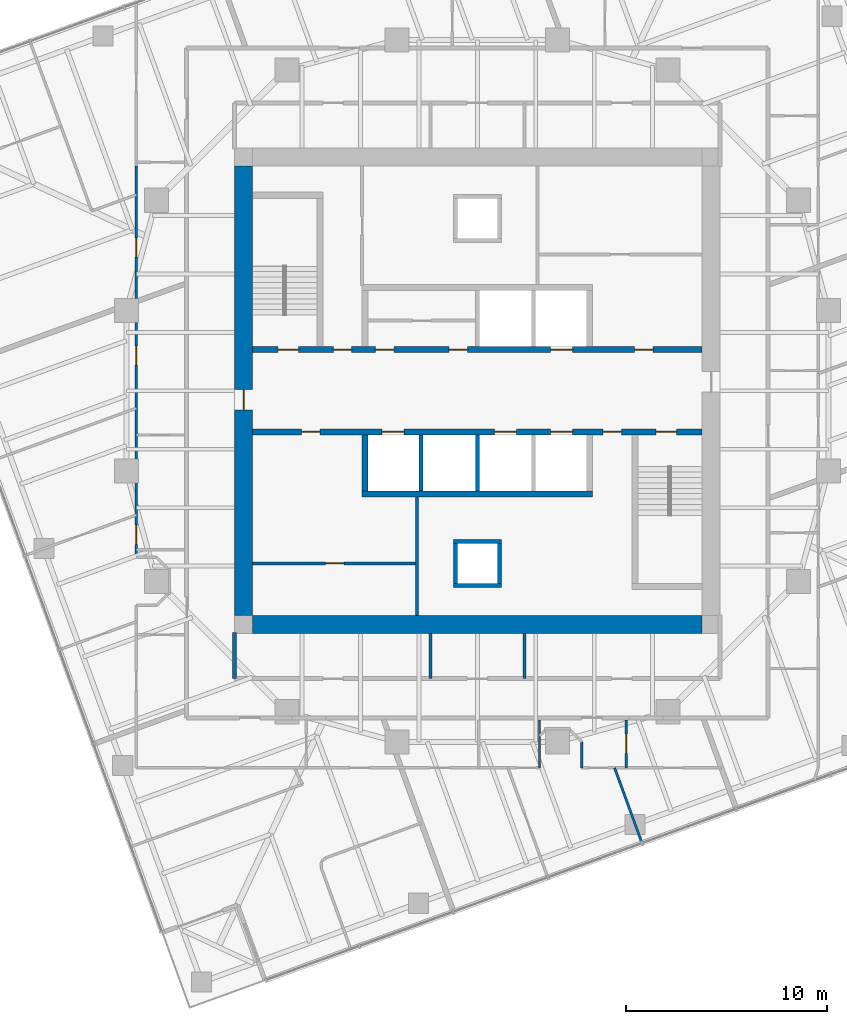
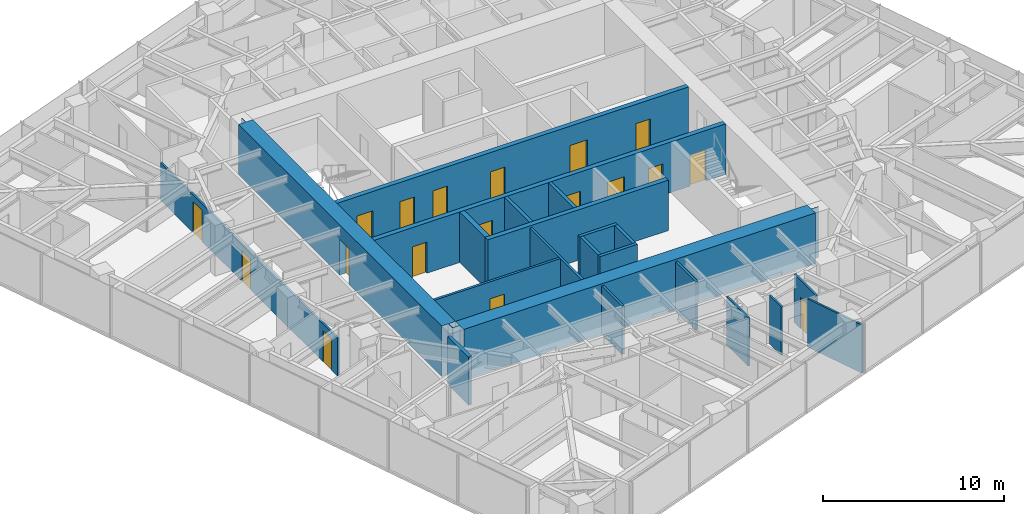
# One storey, part 8 of 13: 22 walls, 18 doors, 18 openings.
"""IFC4 building model written with IfcOpenShell, lengths in metres."""

from ifc_helpers import new_model, si_unit, direction, frame, frame_2d, origin, place, context, subcontext, project, spatial, polyline, rectangle, outline, extrude, material, layer, layer_set, type_object, element, fill, save


model = new_model("IFC4")

# Units and contexts
model_context = context("Model", 3, precision=1e-05, world=origin(), true_north=direction((0.0, 1.0)))
body_context = subcontext(model_context, "Body", "Model", "MODEL_VIEW")
ifc_project = project(units=[si_unit("LENGTHUNIT", "METRE"), si_unit("AREAUNIT", "SQUARE_METRE"), si_unit("VOLUMEUNIT", "CUBIC_METRE"), si_unit("PLANEANGLEUNIT", "RADIAN"), si_unit("MASSUNIT", "GRAM", prefix="KILO")], contexts=[model_context])

# Site, building, storey
site_placement = place(None, origin())
site = spatial("IfcSite", under=ifc_project, at=site_placement, CompositionType="ELEMENT")
building_placement = place(site_placement, origin())
building = spatial("IfcBuilding", under=site, at=building_placement, Name="Torsade Residences", CompositionType="ELEMENT")
storey_placement = place(building_placement, frame((0.0, 0.0, 157.39990234375)))
storey = spatial("IfcBuildingStorey", under=building, at=storey_placement, Name="L43", CompositionType="ELEMENT", Elevation=157.39990234375)

# Wall, openings, doors
ifc_material_1 = material(Name="Concrete 80 MPa", Category="concrete")
ifc_layer_1 = layer(ifc_material_1, 0.300048828125)
ifc_layer_set_1 = layer_set([ifc_layer_1], Name="Concrete 80 MPa")
wall_type_1 = type_object("IfcWallType", Name="CORE INTERNAL WALL 300", PredefinedType="SHEAR", material=ifc_layer_set_1)
wall_1_placement = place(storey_placement, frame((28.800048828125, 32.050048828125, 0.0), z_axis=(0.0, 0.0, 1.0), x_axis=(1.0, 0.0, 0.0)))
wall_1 = element("IfcWall", 1, at=wall_1_placement, inside=storey, type_object=wall_type_1, Name="Core wall LN L43", PredefinedType="SHEAR", context=body_context, shape_type="SweptSolid", body=[
    extrude(rectangle(XDim=22.39990234375, YDim=0.300048828125, at=frame_2d((11.199951171875, 0.0))), origin(), (0.0, 0.0, 1.0), 3.400146484375),
])
opening_1_placement = place(wall_1_placement, frame((19.0400390625, 0.0, 0.0)))
opening_1 = element("IfcOpeningElement", 2, at=opening_1_placement, cuts=wall_1, Name="Opening D06", PredefinedType="OPENING", context=body_context, shape_type="SweptSolid", body=[
    extrude(rectangle(XDim=0.919921875, YDim=2.10009765625, at=frame_2d((0.4599609375, 1.050048828125))), frame((0.0, 0.159912109375, 0.0), z_axis=(0.0, -1.0, 0.0), x_axis=(1.0, 0.0, 0.0)), (0.0, 0.0, 1.0), 0.320068359375),
])
opening_2_placement = place(wall_1_placement, frame((1.264892578125, 0.0, 0.0)))
opening_2 = element("IfcOpeningElement", 3, at=opening_2_placement, cuts=wall_1, Name="Opening D03", PredefinedType="OPENING", context=body_context, shape_type="SweptSolid", body=[
    extrude(rectangle(XDim=1.02001953125, YDim=2.10009765625, at=frame_2d((0.510009765625, 1.050048828125))), frame((0.0, 0.159912109375, 0.0), z_axis=(0.0, -1.0, 0.0), x_axis=(1.0, 0.0, 0.0)), (0.0, 0.0, 1.0), 0.320068359375),
])
opening_3_placement = place(wall_1_placement, frame((4.014892578125, 0.0, 0.0)))
opening_3 = element("IfcOpeningElement", 4, at=opening_3_placement, cuts=wall_1, Name="Opening D06", PredefinedType="OPENING", context=body_context, shape_type="SweptSolid", body=[
    extrude(rectangle(XDim=0.919921875, YDim=2.10009765625, at=frame_2d((0.4599609375, 1.050048828125))), frame((0.0, 0.159912109375, 0.0), z_axis=(0.0, -1.0, 0.0), x_axis=(1.0, 0.0, 0.0)), (0.0, 0.0, 1.0), 0.320068359375),
])
opening_4_placement = place(wall_1_placement, frame((6.114990234375, 0.0, 0.0)))
opening_4 = element("IfcOpeningElement", 5, at=opening_4_placement, cuts=wall_1, Name="Opening D06", PredefinedType="OPENING", context=body_context, shape_type="SweptSolid", body=[
    extrude(rectangle(XDim=0.919921875, YDim=2.10009765625, at=frame_2d((0.4599609375, 1.050048828125))), frame((0.0, 0.159912109375, 0.0), z_axis=(0.0, -1.0, 0.0), x_axis=(1.0, 0.0, 0.0)), (0.0, 0.0, 1.0), 0.320068359375),
])
opening_5_placement = place(wall_1_placement, frame((9.7900390625, 0.0, 0.0)))
opening_5 = element("IfcOpeningElement", 6, at=opening_5_placement, cuts=wall_1, Name="Opening D06", PredefinedType="OPENING", context=body_context, shape_type="SweptSolid", body=[
    extrude(rectangle(XDim=0.919921875, YDim=2.10009765625, at=frame_2d((0.4599609375, 1.050048828125))), frame((0.0, 0.159912109375, 0.0), z_axis=(0.0, -1.0, 0.0), x_axis=(1.0, 0.0, 0.0)), (0.0, 0.0, 1.0), 0.320068359375),
])
opening_6_placement = place(wall_1_placement, frame((14.85009765625, 0.0, 0.0)))
opening_6 = element("IfcOpeningElement", 7, at=opening_6_placement, cuts=wall_1, Name="Opening LD", PredefinedType="OPENING", context=body_context, shape_type="SweptSolid", body=[
    extrude(rectangle(XDim=1.10009765625, YDim=2.10009765625, at=frame_2d((0.550048828125, 1.050048828125))), frame((0.0, 0.159912109375, 0.0), z_axis=(0.0, -1.0, 0.0), x_axis=(1.0, 0.0, 0.0)), (0.0, 0.0, 1.0), 0.320068359375),
])
ifc_material_2 = material(Name="Steel-framed fire door", Category="steel")
door_type_1 = type_object("IfcDoorType", Name="FIRE DOOR 1020", OperationType="NOTDEFINED", PredefinedType="DOOR", material=ifc_material_2)
door_1_placement = place(opening_2_placement, origin())
door_1 = element("IfcDoor", 8, at=door_1_placement, inside=storey, type_object=door_type_1, Name="Exit door to fire-isolated stair ST1 L43", OperationType="SINGLE_SWING_RIGHT", OverallHeight=2.10009765625, OverallWidth=1.02001953125, PredefinedType="DOOR", context=body_context, shape_type="SweptSolid", body=[
    extrude(rectangle(XDim=1.02001953125, YDim=2.10009765625, at=frame_2d((0.510009765625, 1.050048828125))), frame((0.0, 0.02490234375, 0.0), z_axis=(0.0, -1.0, 0.0), x_axis=(1.0, 0.0, 0.0)), (0.0, 0.0, 1.0), 0.050048828125),
])
fill(opening_2, door_1)
ifc_material_3 = material(Name="Steel-framed fire door", Category="steel")
door_type_2 = type_object("IfcDoorType", Name="FIRE DOOR 920", OperationType="NOTDEFINED", PredefinedType="DOOR", material=ifc_material_3)
door_2_placement = place(opening_1_placement, origin())
door_2 = element("IfcDoor", 9, at=door_2_placement, inside=storey, type_object=door_type_2, Name="Door Lift lobby to Refuse room", OperationType="SINGLE_SWING_LEFT", OverallHeight=2.10009765625, OverallWidth=0.919921875, PredefinedType="DOOR", context=body_context, shape_type="SweptSolid", body=[
    extrude(rectangle(XDim=0.919921875, YDim=2.10009765625, at=frame_2d((0.4599609375, 1.050048828125))), frame((0.0, 0.02490234375, 0.0), z_axis=(0.0, -1.0, 0.0), x_axis=(1.0, 0.0, 0.0)), (0.0, 0.0, 1.0), 0.050048828125),
])
fill(opening_1, door_2)
door_3_placement = place(opening_3_placement, origin())
door_3 = element("IfcDoor", 10, at=door_3_placement, inside=storey, type_object=door_type_2, Name="Door Lift lobby to Main switchboard store", OperationType="SINGLE_SWING_LEFT", OverallHeight=2.10009765625, OverallWidth=0.919921875, PredefinedType="DOOR", context=body_context, shape_type="SweptSolid", body=[
    extrude(rectangle(XDim=0.919921875, YDim=2.10009765625, at=frame_2d((0.4599609375, 1.050048828125))), frame((0.0, 0.02490234375, 0.0), z_axis=(0.0, -1.0, 0.0), x_axis=(1.0, 0.0, 0.0)), (0.0, 0.0, 1.0), 0.050048828125),
])
fill(opening_3, door_3)
door_4_placement = place(opening_4_placement, origin())
door_4 = element("IfcDoor", 11, at=door_4_placement, inside=storey, type_object=door_type_2, Name="Door Lift lobby to Communications room L43A", OperationType="SINGLE_SWING_LEFT", OverallHeight=2.10009765625, OverallWidth=0.919921875, PredefinedType="DOOR", context=body_context, shape_type="SweptSolid", body=[
    extrude(rectangle(XDim=0.919921875, YDim=2.10009765625, at=frame_2d((0.4599609375, 1.050048828125))), frame((0.0, 0.02490234375, 0.0), z_axis=(0.0, -1.0, 0.0), x_axis=(1.0, 0.0, 0.0)), (0.0, 0.0, 1.0), 0.050048828125),
])
fill(opening_4, door_4)
door_5_placement = place(opening_5_placement, origin())
door_5 = element("IfcDoor", 12, at=door_5_placement, inside=storey, type_object=door_type_2, Name="Door Lift lobby to Communications room L43A", OperationType="SINGLE_SWING_RIGHT", OverallHeight=2.10009765625, OverallWidth=0.919921875, PredefinedType="DOOR", context=body_context, shape_type="SweptSolid", body=[
    extrude(rectangle(XDim=0.919921875, YDim=2.10009765625, at=frame_2d((0.4599609375, 1.050048828125))), frame((0.0, 0.02490234375, 0.0), z_axis=(0.0, -1.0, 0.0), x_axis=(1.0, 0.0, 0.0)), (0.0, 0.0, 1.0), 0.050048828125),
])
fill(opening_5, door_5)
ifc_material_4 = material(Name="Stainless steel lift landing door", Category="steel")
door_type_3 = type_object("IfcDoorType", Name="LIFT LANDING DOOR 1100", OperationType="SLIDING_TO_LEFT", PredefinedType="DOOR", material=ifc_material_4)
door_6_placement = place(opening_6_placement, origin())
door_6 = element("IfcDoor", 13, at=door_6_placement, inside=storey, type_object=door_type_3, Name="Lift FL1 landing door L43", OperationType="SLIDING_TO_LEFT", OverallHeight=2.10009765625, OverallWidth=1.10009765625, PredefinedType="DOOR", context=body_context, shape_type="SweptSolid", body=[
    extrude(rectangle(XDim=1.10009765625, YDim=2.10009765625, at=frame_2d((0.550048828125, 1.050048828125))), frame((0.0, 0.02490234375, 0.0), z_axis=(0.0, -1.0, 0.0), x_axis=(1.0, 0.0, 0.0)), (0.0, 0.0, 1.0), 0.050048828125),
])
fill(opening_6, door_6)

wall_2_placement = place(storey_placement, frame((51.199951171875, 27.949951171875, 0.0), z_axis=(0.0, 0.0, 1.0), x_axis=(-1.0, 0.0, 0.0)))
wall_2 = element("IfcWall", 14, at=wall_2_placement, inside=storey, type_object=wall_type_1, Name="Core wall LS L43", PredefinedType="SHEAR", context=body_context, shape_type="SweptSolid", body=[
    extrude(rectangle(XDim=22.39990234375, YDim=0.300048828125, at=frame_2d((11.199951171875, 0.0))), origin(), (0.0, 0.0, 1.0), 3.400146484375),
])
opening_7_placement = place(wall_2_placement, frame((19.0400390625, 0.0, 0.0)))
opening_7 = element("IfcOpeningElement", 15, at=opening_7_placement, cuts=wall_2, Name="Opening D06", PredefinedType="OPENING", context=body_context, shape_type="SweptSolid", body=[
    extrude(rectangle(XDim=0.919921875, YDim=2.10009765625, at=frame_2d((0.4599609375, 1.050048828125))), frame((0.0, 0.159912109375, 0.0), z_axis=(0.0, -1.0, 0.0), x_axis=(1.0, 0.0, 0.0)), (0.0, 0.0, 1.0), 0.320068359375),
])
opening_8_placement = place(wall_2_placement, frame((1.264892578125, 0.0, 0.0)))
opening_8 = element("IfcOpeningElement", 16, at=opening_8_placement, cuts=wall_2, Name="Opening D03", PredefinedType="OPENING", context=body_context, shape_type="SweptSolid", body=[
    extrude(rectangle(XDim=1.02001953125, YDim=2.10009765625, at=frame_2d((0.510009765625, 1.050048828125))), frame((0.0, 0.159912109375, 0.0), z_axis=(0.0, -1.0, 0.0), x_axis=(1.0, 0.0, 0.0)), (0.0, 0.0, 1.0), 0.320068359375),
])
opening_9_placement = place(wall_2_placement, frame((4.014892578125, 0.0, 0.0)))
opening_9 = element("IfcOpeningElement", 17, at=opening_9_placement, cuts=wall_2, Name="Opening D06", PredefinedType="OPENING", context=body_context, shape_type="SweptSolid", body=[
    extrude(rectangle(XDim=0.919921875, YDim=2.10009765625, at=frame_2d((0.4599609375, 1.050048828125))), frame((0.0, 0.159912109375, 0.0), z_axis=(0.0, -1.0, 0.0), x_axis=(1.0, 0.0, 0.0)), (0.0, 0.0, 1.0), 0.320068359375),
])
opening_10_placement = place(wall_2_placement, frame((6.449951171875, 0.0, 0.0)))
opening_10 = element("IfcOpeningElement", 18, at=opening_10_placement, cuts=wall_2, Name="Opening LD", PredefinedType="OPENING", context=body_context, shape_type="SweptSolid", body=[
    extrude(rectangle(XDim=1.10009765625, YDim=2.10009765625, at=frame_2d((0.550048828125, 1.050048828125))), frame((0.0, 0.159912109375, 0.0), z_axis=(0.0, -1.0, 0.0), x_axis=(1.0, 0.0, 0.0)), (0.0, 0.0, 1.0), 0.320068359375),
])
opening_11_placement = place(wall_2_placement, frame((9.25, 0.0, 0.0)))
opening_11 = element("IfcOpeningElement", 19, at=opening_11_placement, cuts=wall_2, Name="Opening LD", PredefinedType="OPENING", context=body_context, shape_type="SweptSolid", body=[
    extrude(rectangle(XDim=1.10009765625, YDim=2.10009765625, at=frame_2d((0.550048828125, 1.050048828125))), frame((0.0, 0.159912109375, 0.0), z_axis=(0.0, -1.0, 0.0), x_axis=(1.0, 0.0, 0.0)), (0.0, 0.0, 1.0), 0.320068359375),
])
opening_12_placement = place(wall_2_placement, frame((14.85009765625, 0.0, 0.0)))
opening_12 = element("IfcOpeningElement", 20, at=opening_12_placement, cuts=wall_2, Name="Opening LD", PredefinedType="OPENING", context=body_context, shape_type="SweptSolid", body=[
    extrude(rectangle(XDim=1.10009765625, YDim=2.10009765625, at=frame_2d((0.550048828125, 1.050048828125))), frame((0.0, 0.159912109375, 0.0), z_axis=(0.0, -1.0, 0.0), x_axis=(1.0, 0.0, 0.0)), (0.0, 0.0, 1.0), 0.320068359375),
])
door_7_placement = place(opening_8_placement, origin())
door_7 = element("IfcDoor", 21, at=door_7_placement, inside=storey, type_object=door_type_1, Name="Exit door to fire-isolated stair ST2 L43", OperationType="SINGLE_SWING_RIGHT", OverallHeight=2.10009765625, OverallWidth=1.02001953125, PredefinedType="DOOR", context=body_context, shape_type="SweptSolid", body=[
    extrude(rectangle(XDim=1.02001953125, YDim=2.10009765625, at=frame_2d((0.510009765625, 1.050048828125))), frame((0.0, 0.02490234375, 0.0), z_axis=(0.0, -1.0, 0.0), x_axis=(1.0, 0.0, 0.0)), (0.0, 0.0, 1.0), 0.050048828125),
])
fill(opening_8, door_7)
door_8_placement = place(opening_7_placement, origin())
door_8 = element("IfcDoor", 22, at=door_8_placement, inside=storey, type_object=door_type_2, Name="Door Lift lobby to Cleaner store", OperationType="SINGLE_SWING_LEFT", OverallHeight=2.10009765625, OverallWidth=0.919921875, PredefinedType="DOOR", context=body_context, shape_type="SweptSolid", body=[
    extrude(rectangle(XDim=0.919921875, YDim=2.10009765625, at=frame_2d((0.4599609375, 1.050048828125))), frame((0.0, 0.02490234375, 0.0), z_axis=(0.0, -1.0, 0.0), x_axis=(1.0, 0.0, 0.0)), (0.0, 0.0, 1.0), 0.050048828125),
])
fill(opening_7, door_8)
door_9_placement = place(opening_9_placement, origin())
door_9 = element("IfcDoor", 23, at=door_9_placement, inside=storey, type_object=door_type_2, Name="Door Lift lobby to Communications riser room", OperationType="SINGLE_SWING_RIGHT", OverallHeight=2.10009765625, OverallWidth=0.919921875, PredefinedType="DOOR", context=body_context, shape_type="SweptSolid", body=[
    extrude(rectangle(XDim=0.919921875, YDim=2.10009765625, at=frame_2d((0.4599609375, 1.050048828125))), frame((0.0, 0.02490234375, 0.0), z_axis=(0.0, -1.0, 0.0), x_axis=(1.0, 0.0, 0.0)), (0.0, 0.0, 1.0), 0.050048828125),
])
fill(opening_9, door_9)
door_10_placement = place(opening_10_placement, origin())
door_10 = element("IfcDoor", 24, at=door_10_placement, inside=storey, type_object=door_type_3, Name="Lift LB1 landing door L43", OperationType="SLIDING_TO_LEFT", OverallHeight=2.10009765625, OverallWidth=1.10009765625, PredefinedType="DOOR", context=body_context, shape_type="SweptSolid", body=[
    extrude(rectangle(XDim=1.10009765625, YDim=2.10009765625, at=frame_2d((0.550048828125, 1.050048828125))), frame((0.0, 0.02490234375, 0.0), z_axis=(0.0, -1.0, 0.0), x_axis=(1.0, 0.0, 0.0)), (0.0, 0.0, 1.0), 0.050048828125),
])
fill(opening_10, door_10)
door_11_placement = place(opening_11_placement, origin())
door_11 = element("IfcDoor", 25, at=door_11_placement, inside=storey, type_object=door_type_3, Name="Lift LB2 landing door L43", OperationType="SLIDING_TO_LEFT", OverallHeight=2.10009765625, OverallWidth=1.10009765625, PredefinedType="DOOR", context=body_context, shape_type="SweptSolid", body=[
    extrude(rectangle(XDim=1.10009765625, YDim=2.10009765625, at=frame_2d((0.550048828125, 1.050048828125))), frame((0.0, 0.02490234375, 0.0), z_axis=(0.0, -1.0, 0.0), x_axis=(1.0, 0.0, 0.0)), (0.0, 0.0, 1.0), 0.050048828125),
])
fill(opening_11, door_11)
door_12_placement = place(opening_12_placement, origin())
door_12 = element("IfcDoor", 26, at=door_12_placement, inside=storey, type_object=door_type_3, Name="Lift FL2 landing door L43", OperationType="SLIDING_TO_LEFT", OverallHeight=2.10009765625, OverallWidth=1.10009765625, PredefinedType="DOOR", context=body_context, shape_type="SweptSolid", body=[
    extrude(rectangle(XDim=1.10009765625, YDim=2.10009765625, at=frame_2d((0.550048828125, 1.050048828125))), frame((0.0, 0.02490234375, 0.0), z_axis=(0.0, -1.0, 0.0), x_axis=(1.0, 0.0, 0.0)), (0.0, 0.0, 1.0), 0.050048828125),
])
fill(opening_12, door_12)

# Walls
wall_3_placement = place(storey_placement, frame((45.75, 24.85009765625, 0.0), z_axis=(0.0, 0.0, 1.0), x_axis=(-1.0, 0.0, 0.0)))
element("IfcWall", 27, at=wall_3_placement, inside=storey, type_object=wall_type_1, Name="Core wall BS L43", PredefinedType="SHEAR", context=body_context, shape_type="SweptSolid", body=[
    extrude(rectangle(XDim=11.5, YDim=0.300048828125, at=frame_2d((5.75, 0.0))), origin(), (0.0, 0.0, 1.0), 3.400146484375),
])
wall_4_placement = place(storey_placement, frame((34.39990234375, 27.800048828125, 0.0), z_axis=(0.0, 0.0, 1.0), x_axis=(0.0, -1.0, 0.0)))
element("IfcWall", 28, at=wall_4_placement, inside=storey, type_object=wall_type_1, Name="Core wall DS4 L43", PredefinedType="SHEAR", context=body_context, shape_type="SweptSolid", body=[
    extrude(rectangle(XDim=2.800048828125, YDim=0.300048828125, at=frame_2d((1.39990234375, 0.0))), origin(), (0.0, 0.0, 1.0), 3.400146484375),
])
ifc_material_5 = material(Name="Concrete 80 MPa", Category="concrete")
ifc_layer_2 = layer(ifc_material_5, 0.89990234375)
ifc_layer_set_2 = layer_set([ifc_layer_2], Name="Concrete 80 MPa")
wall_type_2 = type_object("IfcWallType", Name="CORE WALL 900", PredefinedType="SHEAR", material=ifc_layer_set_2)
wall_5_placement = place(storey_placement, frame((51.199951171875, 18.35009765625, 0.0), z_axis=(0.0, 0.0, 1.0), x_axis=(-1.0, 0.0, 0.0)))
element("IfcWall", 29, at=wall_5_placement, inside=storey, type_object=wall_type_2, Name="Core wall S L43", PredefinedType="SHEAR", context=body_context, shape_type="SweptSolid", body=[
    extrude(outline(polyline([(0.0, -0.449951171875), (22.39990234375, -0.449951171875), (22.39990234375, -0.02490234375), (22.849853515625, -0.02490234375), (22.849853515625, 0.02490234375), (22.39990234375, 0.02490234375), (22.39990234375, 0.449951171875), (0.0, 0.449951171875), (0.0, 0.02490234375), (-0.449951171875, 0.02490234375), (-0.449951171875, -0.02490234375), (0.0, -0.02490234375), (0.0, -0.449951171875)])), origin(), (0.0, 0.0, 1.0), 3.400146484375),
])

# Wall, opening, door
wall_6_placement = place(storey_placement, frame((28.35009765625, 41.199951171875, 0.0), z_axis=(0.0, 0.0, 1.0), x_axis=(0.0, -1.0, 0.0)))
wall_6 = element("IfcWall", 30, at=wall_6_placement, inside=storey, type_object=wall_type_2, Name="Core wall W L43", PredefinedType="SHEAR", context=body_context, shape_type="SweptSolid", body=[
    extrude(outline(polyline([(0.0, -0.449951171875), (22.39990234375, -0.449951171875), (22.39990234375, -0.02490234375), (22.849853515625, -0.02490234375), (22.849853515625, 0.02490234375), (22.39990234375, 0.02490234375), (22.39990234375, 0.449951171875), (0.0, 0.449951171875), (0.0, 0.02490234375), (-0.449951171875, 0.02490234375), (-0.449951171875, -0.02490234375), (0.0, -0.02490234375), (0.0, -0.449951171875)])), origin(), (0.0, 0.0, 1.0), 3.400146484375),
])
opening_13_placement = place(wall_6_placement, frame((11.139892578125, 0.0, 0.0)))
opening_13 = element("IfcOpeningElement", 31, at=opening_13_placement, cuts=wall_6, Name="Opening D04", PredefinedType="OPENING", context=body_context, shape_type="SweptSolid", body=[
    extrude(rectangle(XDim=1.02001953125, YDim=2.39990234375, at=frame_2d((0.510009765625, 1.199951171875))), frame((0.0, 0.4599609375, 0.0), z_axis=(0.0, -1.0, 0.0), x_axis=(1.0, 0.0, 0.0)), (0.0, 0.0, 1.0), 0.919921875),
])
ifc_material_6 = material(Name="Steel-framed fire door", Category="steel")
door_type_4 = type_object("IfcDoorType", Name="LOBBY SMOKE DOOR 1020x2400", OperationType="NOTDEFINED", PredefinedType="DOOR", material=ifc_material_6)
door_13_placement = place(opening_13_placement, origin())
door_13 = element("IfcDoor", 32, at=door_13_placement, inside=storey, type_object=door_type_4, Name="Lift lobby door W L43", OperationType="SINGLE_SWING_RIGHT", OverallHeight=2.39990234375, OverallWidth=1.02001953125, PredefinedType="DOOR", context=body_context, shape_type="SweptSolid", body=[
    extrude(rectangle(XDim=1.02001953125, YDim=2.39990234375, at=frame_2d((0.510009765625, 1.199951171875))), frame((0.0, 0.02490234375, 0.0), z_axis=(0.0, -1.0, 0.0), x_axis=(1.0, 0.0, 0.0)), (0.0, 0.0, 1.0), 0.050048828125),
])
fill(opening_13, door_13)

# Walls
ifc_material_7 = material(Name="Plasterboard on steel stud", Category="steel")
ifc_layer_3 = layer(ifc_material_7, 0.199951171875)
ifc_layer_set_3 = layer_set([ifc_layer_3], Name="Plasterboard on steel stud")
wall_type_3 = type_object("IfcWallType", Name="CORRIDOR WALL 200", PredefinedType="PARTITIONING", material=ifc_layer_set_3)
wall_7_placement = place(storey_placement, frame((27.89990234375, 17.949951171875, 0.0), z_axis=(0.0, 0.0, 1.0), x_axis=(0.0, -1.0, 0.0)))
element("IfcWall", 33, at=wall_7_placement, inside=storey, type_object=wall_type_3, Name="Corridor wall L43", PredefinedType="PARTITIONING", context=body_context, shape_type="SweptSolid", body=[
    extrude(rectangle(XDim=2.300048828125, YDim=0.199951171875, at=frame_2d((1.14990234375, 0.0))), origin(), (0.0, 0.0, 1.0), 3.25),
])
ifc_material_8 = material(Name="Reinforced blockwork", Category="masonry")
ifc_layer_4 = layer(ifc_material_8, 0.199951171875)
ifc_layer_set_4 = layer_set([ifc_layer_4], Name="Reinforced blockwork")
wall_type_4 = type_object("IfcWallType", Name="LIFT SHAFT DIVIDING WALL 200", PredefinedType="SOLIDWALL", material=ifc_layer_set_4)
for number, where, z_axis, x_axis, name in (
    (34, (40.0, 27.800048828125, 0.0), (0.0, 0.0, 1.0), (0.0, -1.0, 0.0), "Core wall DS2 L43"),
    (35, (37.199951171875, 27.800048828125, 0.0), (0.0, 0.0, 1.0), (0.0, -1.0, 0.0), "Core wall DS3 L43"),
):
    element("IfcWall", number, at=place(storey_placement, frame(where, z_axis=z_axis, x_axis=x_axis)), inside=storey, type_object=wall_type_4, Name=name, PredefinedType="SOLIDWALL", context=body_context, shape_type="SweptSolid", body=[
        extrude(rectangle(XDim=2.800048828125, YDim=0.199951171875, at=frame_2d((1.39990234375, 0.0))), origin(), (0.0, 0.0, 1.0), 3.400146484375),
    ])

# Wall, openings, doors
ifc_material_9 = material(Name="Plasterboard on steel stud", Category="steel")
ifc_layer_5 = layer(ifc_material_9, 0.1201171875)
ifc_layer_set_5 = layer_set([ifc_layer_5], Name="Plasterboard on steel stud")
wall_type_5 = type_object("IfcWallType", Name="PARTITION 120", PredefinedType="PARTITIONING", material=ifc_layer_set_5)
wall_8_placement = place(storey_placement, frame((23.0, 21.699951171875, 0.0), z_axis=(0.0, 0.0, 1.0), x_axis=(0.0, 1.0, 0.0)))
wall_8 = element("IfcWall", 36, at=wall_8_placement, inside=storey, type_object=wall_type_5, Name="Partition L43", PredefinedType="PARTITIONING", context=body_context, shape_type="SweptSolid", body=[
    extrude(rectangle(XDim=19.51220703125, YDim=0.1201171875, at=frame_2d((9.756103515625, 0.0))), origin(), (0.0, 0.0, 1.0), 2.550048828125),
])
opening_14_placement = place(wall_8_placement, frame((14.961181640625, 0.0, 0.0)))
opening_14 = element("IfcOpeningElement", 37, at=opening_14_placement, cuts=wall_8, Name="Opening D05", PredefinedType="OPENING", context=body_context, shape_type="SweptSolid", body=[
    extrude(rectangle(XDim=0.9599609375, YDim=2.10009765625, at=frame_2d((0.47998046875, 1.050048828125))), frame((0.0, 0.070068359375, 0.0), z_axis=(0.0, -1.0, 0.0), x_axis=(1.0, 0.0, 0.0)), (0.0, 0.0, 1.0), 0.14013671875),
])
opening_15_placement = place(wall_8_placement, frame((0.64111328125, 0.0, 0.0)))
opening_15 = element("IfcOpeningElement", 38, at=opening_15_placement, cuts=wall_8, Name="Opening D05", PredefinedType="OPENING", context=body_context, shape_type="SweptSolid", body=[
    extrude(rectangle(XDim=0.9599609375, YDim=2.10009765625, at=frame_2d((0.47998046875, 1.050048828125))), frame((0.0, 0.070068359375, 0.0), z_axis=(0.0, -1.0, 0.0), x_axis=(1.0, 0.0, 0.0)), (0.0, 0.0, 1.0), 0.14013671875),
])
opening_16_placement = place(wall_8_placement, frame((9.587158203125, 0.0, 0.0)))
opening_16 = element("IfcOpeningElement", 39, at=opening_16_placement, cuts=wall_8, Name="Opening D05", PredefinedType="OPENING", context=body_context, shape_type="SweptSolid", body=[
    extrude(rectangle(XDim=0.9599609375, YDim=2.10009765625, at=frame_2d((0.47998046875, 1.050048828125))), frame((0.0, 0.070068359375, 0.0), z_axis=(0.0, -1.0, 0.0), x_axis=(1.0, 0.0, 0.0)), (0.0, 0.0, 1.0), 0.14013671875),
])
ifc_material_10 = material(Name="Hollow-core timber door in a steel cavity frame", Category="steel")
door_type_5 = type_object("IfcDoorType", Name="BATHROOM CAVITY SLIDING DOOR 960", OperationType="SLIDING_TO_LEFT", PredefinedType="DOOR", material=ifc_material_10)
door_14_placement = place(opening_14_placement, origin())
door_14 = element("IfcDoor", 40, at=door_14_placement, inside=storey, type_object=door_type_5, Name="Door Bathroom to Living room", OperationType="SLIDING_TO_LEFT", OverallHeight=2.10009765625, OverallWidth=0.9599609375, PredefinedType="DOOR", context=body_context, shape_type="SweptSolid", body=[
    extrude(rectangle(XDim=0.9599609375, YDim=2.10009765625, at=frame_2d((0.47998046875, 1.050048828125))), frame((0.0, 0.02490234375, 0.0), z_axis=(0.0, -1.0, 0.0), x_axis=(1.0, 0.0, 0.0)), (0.0, 0.0, 1.0), 0.050048828125),
])
fill(opening_14, door_14)
door_15_placement = place(opening_15_placement, origin())
door_15 = element("IfcDoor", 41, at=door_15_placement, inside=storey, type_object=door_type_5, Name="Door Bedroom 2 to Ensuite", OperationType="SLIDING_TO_LEFT", OverallHeight=2.10009765625, OverallWidth=0.9599609375, PredefinedType="DOOR", context=body_context, shape_type="SweptSolid", body=[
    extrude(rectangle(XDim=0.9599609375, YDim=2.10009765625, at=frame_2d((0.47998046875, 1.050048828125))), frame((0.0, 0.02490234375, 0.0), z_axis=(0.0, -1.0, 0.0), x_axis=(1.0, 0.0, 0.0)), (0.0, 0.0, 1.0), 0.050048828125),
])
fill(opening_15, door_15)
door_16_placement = place(opening_16_placement, origin())
door_16 = element("IfcDoor", 42, at=door_16_placement, inside=storey, type_object=door_type_5, Name="Door Bathroom to Living room", OperationType="SLIDING_TO_LEFT", OverallHeight=2.10009765625, OverallWidth=0.9599609375, PredefinedType="DOOR", context=body_context, shape_type="SweptSolid", body=[
    extrude(rectangle(XDim=0.9599609375, YDim=2.10009765625, at=frame_2d((0.47998046875, 1.050048828125))), frame((0.0, 0.02490234375, 0.0), z_axis=(0.0, -1.0, 0.0), x_axis=(1.0, 0.0, 0.0)), (0.0, 0.0, 1.0), 0.050048828125),
])
fill(opening_16, door_16)

# Walls
wall_9_placement = place(storey_placement, frame((43.097900390625, 11.199951171875, 0.0), z_axis=(0.0, 0.0, 1.0), x_axis=(0.0, 1.0, 0.0)))
element("IfcWall", 43, at=wall_9_placement, inside=storey, type_object=wall_type_5, Name="Partition L43", PredefinedType="PARTITIONING", context=body_context, shape_type="SweptSolid", body=[
    extrude(rectangle(XDim=2.400146484375, YDim=0.1201171875, at=frame_2d((1.2001953125, 0.0))), origin(), (0.0, 0.0, 1.0), 3.25),
])
wall_10_placement = place(storey_placement, frame((45.199951171875, 11.199951171875, 0.0), z_axis=(0.0, 0.0, 1.0), x_axis=(0.0, 1.0, 0.0)))
element("IfcWall", 44, at=wall_10_placement, inside=storey, type_object=wall_type_5, Name="Partition L43", PredefinedType="PARTITIONING", context=body_context, shape_type="SweptSolid", body=[
    extrude(rectangle(XDim=1.300048828125, YDim=0.1201171875, at=frame_2d((0.64990234375, 0.0))), origin(), (0.0, 0.0, 1.0), 3.25),
])

# Wall, opening, door
wall_11_placement = place(storey_placement, frame((47.416015625, 13.60009765625, 0.0), z_axis=(0.0, 0.0, 1.0), x_axis=(0.0, -1.0, 0.0)))
wall_11 = element("IfcWall", 45, at=wall_11_placement, inside=storey, type_object=wall_type_5, Name="Partition L43", PredefinedType="PARTITIONING", context=body_context, shape_type="SweptSolid", body=[
    extrude(rectangle(XDim=2.400146484375, YDim=0.1201171875, at=frame_2d((1.2001953125, 0.0))), origin(), (0.0, 0.0, 1.0), 3.25),
])
opening_17_placement = place(wall_11_placement, frame((0.719970703125, 0.0, 0.0)))
opening_17 = element("IfcOpeningElement", 46, at=opening_17_placement, cuts=wall_11, Name="Opening D05", PredefinedType="OPENING", context=body_context, shape_type="SweptSolid", body=[
    extrude(rectangle(XDim=0.9599609375, YDim=2.10009765625, at=frame_2d((0.47998046875, 1.050048828125))), frame((0.0, 0.070068359375, 0.0), z_axis=(0.0, -1.0, 0.0), x_axis=(1.0, 0.0, 0.0)), (0.0, 0.0, 1.0), 0.14013671875),
])
door_17_placement = place(opening_17_placement, origin())
door_17 = element("IfcDoor", 47, at=door_17_placement, inside=storey, type_object=door_type_5, Name="Door Kitchen and dining to WC", OperationType="SLIDING_TO_LEFT", OverallHeight=2.10009765625, OverallWidth=0.9599609375, PredefinedType="DOOR", context=body_context, shape_type="SweptSolid", body=[
    extrude(rectangle(XDim=0.9599609375, YDim=2.10009765625, at=frame_2d((0.47998046875, 1.050048828125))), frame((0.0, 0.02490234375, 0.0), z_axis=(0.0, -1.0, 0.0), x_axis=(1.0, 0.0, 0.0)), (0.0, 0.0, 1.0), 0.050048828125),
])
fill(opening_17, door_17)

# Walls
wall_12_placement = place(storey_placement, frame((46.8427734375, 11.199951171875, 0.0), z_axis=(0.0, 0.0, 1.0), x_axis=(0.341990966768, -0.939703239672, 0.0)))
element("IfcWall", 48, at=wall_12_placement, inside=storey, type_object=wall_type_5, Name="Partition L43", PredefinedType="PARTITIONING", context=body_context, shape_type="SweptSolid", body=[
    extrude(rectangle(XDim=3.953369140625, YDim=0.1201171875, at=frame_2d((1.9765625, 0.0))), origin(), (0.0, 0.0, 1.0), 3.25),
])
ifc_material_11 = material(Name="Reinforced blockwork", Category="masonry")
ifc_layer_6 = layer(ifc_material_11, 0.199951171875)
ifc_layer_set_6 = layer_set([ifc_layer_6], Name="Reinforced blockwork")
wall_type_6 = type_object("IfcWallType", Name="RISER SHAFT WALL 200", PredefinedType="SOLIDWALL", material=ifc_layer_set_6)
for number, where, z_axis, x_axis, name in (
    (49, (38.89990234375, 22.39990234375, 0.0), (0.0, 0.0, 1.0), (0.0, -1.0, 0.0), "Core wall RS2a L43"),
    (50, (41.10009765625, 22.39990234375, 0.0), (0.0, 0.0, 1.0), (0.0, -1.0, 0.0), "Core wall RS2b L43"),
):
    element("IfcWall", number, at=place(storey_placement, frame(where, z_axis=z_axis, x_axis=x_axis)), inside=storey, type_object=wall_type_6, Name=name, PredefinedType="SOLIDWALL", context=body_context, shape_type="SweptSolid", body=[
        extrude(rectangle(XDim=2.0, YDim=0.199951171875, at=frame_2d((1.0, 0.0))), origin(), (0.0, 0.0, 1.0), 3.400146484375),
    ])
for number, where, z_axis, x_axis, name in (
    (51, (38.800048828125, 22.5, 0.0), (0.0, 0.0, 1.0), (1.0, 0.0, 0.0), "Core wall RS2c L43"),
    (52, (38.800048828125, 20.300048828125, 0.0), (0.0, 0.0, 1.0), (1.0, 0.0, 0.0), "Core wall RS2d L43"),
):
    element("IfcWall", number, at=place(storey_placement, frame(where, z_axis=z_axis, x_axis=x_axis)), inside=storey, type_object=wall_type_6, Name=name, PredefinedType="SOLIDWALL", context=body_context, shape_type="SweptSolid", body=[
        extrude(rectangle(XDim=2.39990234375, YDim=0.199951171875, at=frame_2d((1.199951171875, 0.0))), origin(), (0.0, 0.0, 1.0), 3.400146484375),
    ])
ifc_material_12 = material(Name="Reinforced blockwork", Category="masonry")
ifc_layer_7 = layer(ifc_material_12, 0.14990234375)
ifc_layer_set_7 = layer_set([ifc_layer_7], Name="Reinforced blockwork")
wall_type_7 = type_object("IfcWallType", Name="SERVICE ROOM WALL 150", PredefinedType="SOLIDWALL", material=ifc_layer_set_7)
wall_13_placement = place(storey_placement, frame((37.0, 18.800048828125, 0.0), z_axis=(0.0, 0.0, 1.0), x_axis=(0.0, 1.0, 0.0)))
element("IfcWall", 53, at=wall_13_placement, inside=storey, type_object=wall_type_7, Name="Service room wall L43", PredefinedType="SOLIDWALL", context=body_context, shape_type="SweptSolid", body=[
    extrude(rectangle(XDim=5.89990234375, YDim=0.14990234375, at=frame_2d((2.949951171875, 0.0))), origin(), (0.0, 0.0, 1.0), 3.25),
])

# Wall, opening, door
wall_14_placement = place(storey_placement, frame((37.0, 21.39990234375, 0.0), z_axis=(0.0, 0.0, 1.0), x_axis=(-1.0, 0.0, 0.0)))
wall_14 = element("IfcWall", 54, at=wall_14_placement, inside=storey, type_object=wall_type_7, Name="Service room wall L43", PredefinedType="SOLIDWALL", context=body_context, shape_type="SweptSolid", body=[
    extrude(rectangle(XDim=8.199951171875, YDim=0.14990234375, at=frame_2d((4.10009765625, 0.0))), origin(), (0.0, 0.0, 1.0), 3.25),
])
opening_18_placement = place(wall_14_placement, frame((3.639892578125, 0.0, 0.0)))
opening_18 = element("IfcOpeningElement", 55, at=opening_18_placement, cuts=wall_14, Name="Opening D06", PredefinedType="OPENING", context=body_context, shape_type="SweptSolid", body=[
    extrude(rectangle(XDim=0.919921875, YDim=2.10009765625, at=frame_2d((0.4599609375, 1.050048828125))), frame((0.0, 0.0849609375, 0.0), z_axis=(0.0, -1.0, 0.0), x_axis=(1.0, 0.0, 0.0)), (0.0, 0.0, 1.0), 0.169921875),
])
door_18_placement = place(opening_18_placement, origin())
door_18 = element("IfcDoor", 56, at=door_18_placement, inside=storey, type_object=door_type_2, Name="Door Cleaner store to Sprinkler valve room", OperationType="SINGLE_SWING_RIGHT", OverallHeight=2.10009765625, OverallWidth=0.919921875, PredefinedType="DOOR", context=body_context, shape_type="SweptSolid", body=[
    extrude(rectangle(XDim=0.919921875, YDim=2.10009765625, at=frame_2d((0.4599609375, 1.050048828125))), frame((0.0, 0.02490234375, 0.0), z_axis=(0.0, -1.0, 0.0), x_axis=(1.0, 0.0, 0.0)), (0.0, 0.0, 1.0), 0.050048828125),
])
fill(opening_18, door_18)

# Walls
for number, where, z_axis, x_axis, name in (
    (57, (37.652587890625, 15.64990234375, 0.0), (0.0, 0.0, 1.0), (0.0, 1.0, 0.0), "Service room wall L43"),
    (58, (42.347412109375, 15.64990234375, 0.0), (0.0, 0.0, 1.0), (0.0, 1.0, 0.0), "Service room wall L43"),
):
    element("IfcWall", number, at=place(storey_placement, frame(where, z_axis=z_axis, x_axis=x_axis)), inside=storey, type_object=wall_type_7, Name=name, PredefinedType="SOLIDWALL", context=body_context, shape_type="SweptSolid", body=[
        extrude(rectangle(XDim=2.25, YDim=0.14990234375, at=frame_2d((1.125, 0.0))), origin(), (0.0, 0.0, 1.0), 3.25),
    ])

save(model, "model.ifc")
